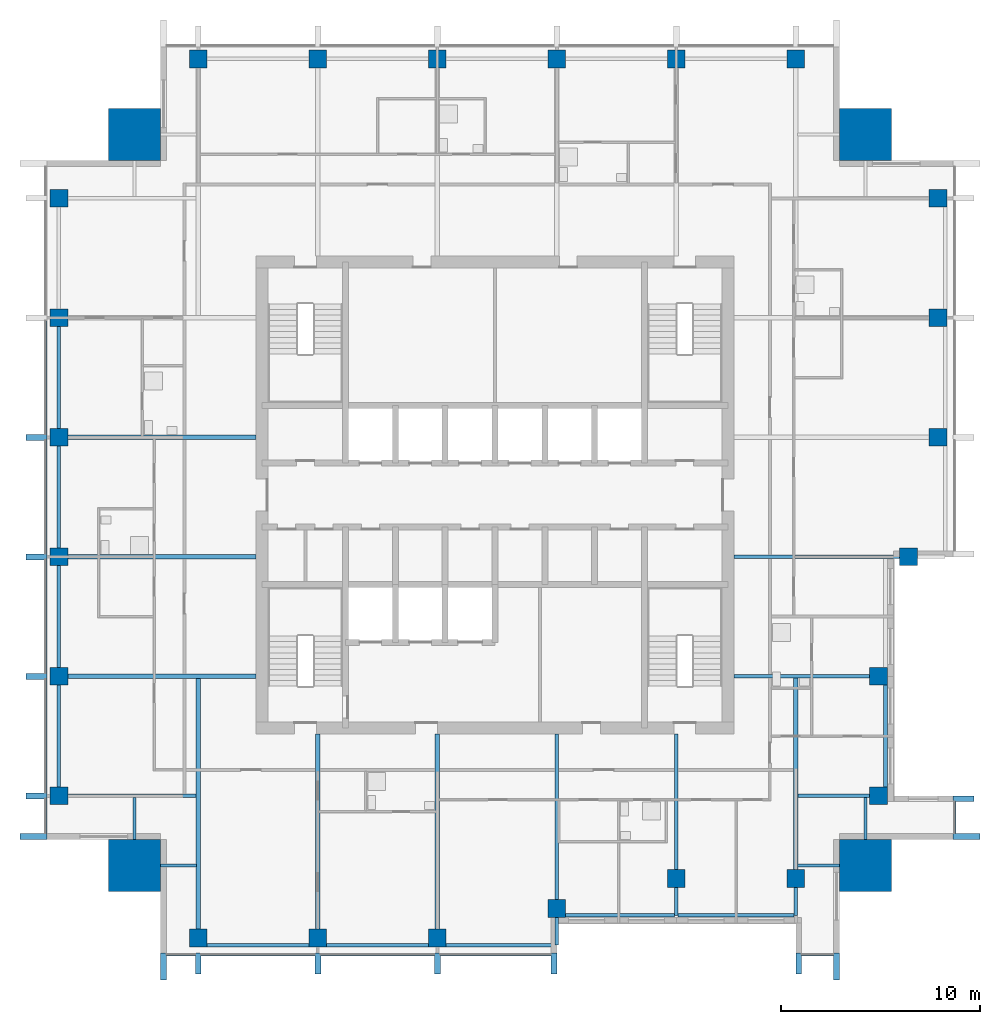
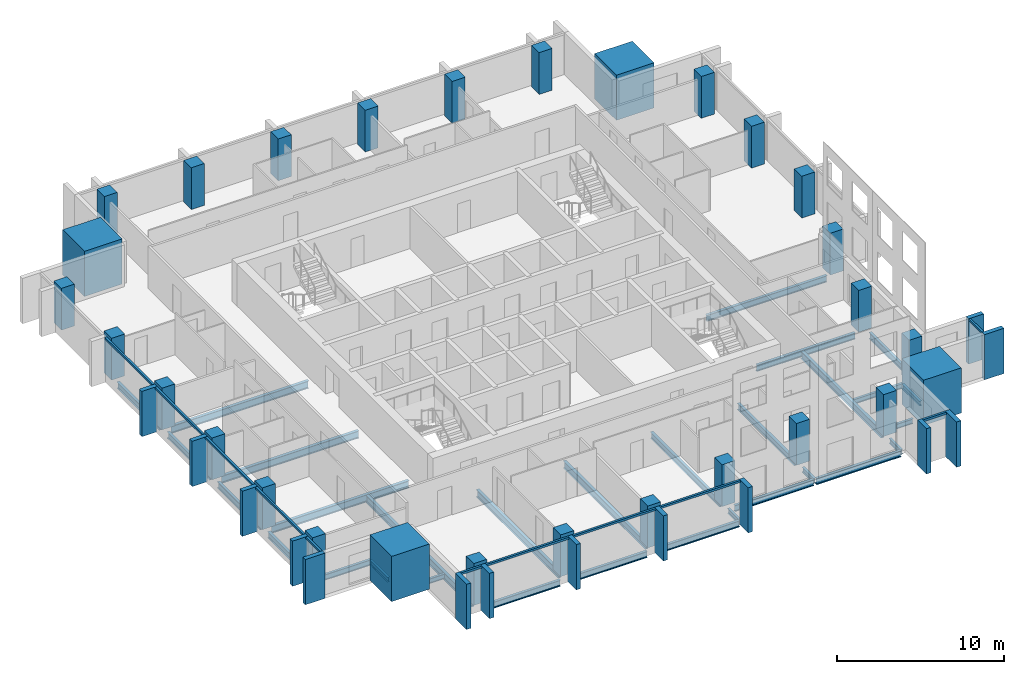
# One storey, part 1 of 10: 30 beams, 28 columns, 25 members, 4 elements without a shape of their own.
"""IFC4 building model written with IfcOpenShell, lengths in metres."""

from ifc_helpers import new_model, si_unit, direction, frame, origin, origin_2d, place, context, subcontext, project, spatial, rectangle, i_section, extrude, material, material_profile, profile_set, type_object, element, aggregate, save


model = new_model("IFC4")

# Units and contexts
model_context = context("Model", 3, precision=1e-05, world=origin(), true_north=direction((0.0, 1.0)))
body_context = subcontext(model_context, "Body", "Model", "MODEL_VIEW")
ifc_project = project(units=[si_unit("LENGTHUNIT", "METRE"), si_unit("AREAUNIT", "SQUARE_METRE"), si_unit("VOLUMEUNIT", "CUBIC_METRE"), si_unit("PLANEANGLEUNIT", "RADIAN"), si_unit("MASSUNIT", "GRAM", prefix="KILO")], contexts=[model_context])

# Site, building, storey
site_placement = place(None, origin())
site = spatial("IfcSite", under=ifc_project, at=site_placement, CompositionType="ELEMENT")
building_placement = place(site_placement, origin())
building = spatial("IfcBuilding", under=site, at=building_placement, Name="Amberfall Residences", CompositionType="ELEMENT")
storey_placement = place(building_placement, frame((0.0, 0.0, 206.800048828125)))
storey = spatial("IfcBuildingStorey", under=building, at=storey_placement, Name="L55", CompositionType="ELEMENT", Elevation=206.800048828125)

# Columns
ifc_material_1 = material(Name="Concrete C55", Category="concrete")
ifc_material_profile_1 = material_profile(ifc_material_1, rectangle(XDim=0.89990234375, YDim=0.89990234375, at=origin_2d()), Name="Column 900 x 900 C55")
ifc_profile_set_1 = profile_set([ifc_material_profile_1], Name="Concrete C55")
column_type_1 = type_object("IfcColumnType", Name="Column 900 x 900 C55", PredefinedType="COLUMN", material=ifc_profile_set_1)
for number, where, z_axis, x_axis, name in (
    (1, (59.60009765625, 23.25, 0.0), (0.0, 0.0, 1.0), (1.0, 0.0, 0.0), "Column C4 L55 S1"),
    (2, (65.60009765625, 23.25, 0.0), (0.0, 0.0, 1.0), (1.0, 0.0, 0.0), "Column C4 L55 S2"),
    (3, (71.60009765625, 23.25, 0.0), (0.0, 0.0, 1.0), (1.0, 0.0, 0.0), "Column C4 L55 S3"),
    (4, (77.60009765625, 24.75, 0.0), (0.0, 0.0, 1.0), (1.0, 0.0, 0.0), "Column C4 L55 S4"),
    (5, (83.60009765625, 26.25, 0.0), (0.0, 0.0, 1.0), (1.0, 0.0, 0.0), "Column C4 L55 S5"),
    (6, (89.60009765625, 26.25, 0.0), (0.0, 0.0, 1.0), (1.0, 0.0, 0.0), "Column C4 L55 S6"),
    (7, (93.75, 30.39990234375, 0.0), (0.0, 0.0, 1.0), (1.0, 0.0, 0.0), "Column C4 L55 E1"),
    (8, (93.75, 36.39990234375, 0.0), (0.0, 0.0, 1.0), (1.0, 0.0, 0.0), "Column C4 L55 E2"),
    (9, (95.25, 42.39990234375, 0.0), (0.0, 0.0, 1.0), (1.0, 0.0, 0.0), "Column C4 L55 E3"),
    (10, (96.75, 48.39990234375, 0.0), (0.0, 0.0, 1.0), (1.0, 0.0, 0.0), "Column C4 L55 E4"),
    (11, (96.75, 54.39990234375, 0.0), (0.0, 0.0, 1.0), (1.0, 0.0, 0.0), "Column C4 L55 E5"),
    (12, (96.75, 60.39990234375, 0.0), (0.0, 0.0, 1.0), (1.0, 0.0, 0.0), "Column C4 L55 E6"),
    (13, (59.60009765625, 67.39990234375, 0.0), (0.0, 0.0, 1.0), (1.0, 0.0, 0.0), "Column C4 L55 N1"),
    (14, (65.60009765625, 67.39990234375, 0.0), (0.0, 0.0, 1.0), (1.0, 0.0, 0.0), "Column C4 L55 N2"),
    (15, (71.60009765625, 67.39990234375, 0.0), (0.0, 0.0, 1.0), (1.0, 0.0, 0.0), "Column C4 L55 N3"),
    (16, (77.60009765625, 67.39990234375, 0.0), (0.0, 0.0, 1.0), (1.0, 0.0, 0.0), "Column C4 L55 N4"),
    (17, (83.60009765625, 67.39990234375, 0.0), (0.0, 0.0, 1.0), (1.0, 0.0, 0.0), "Column C4 L55 N5"),
    (18, (89.60009765625, 67.39990234375, 0.0), (0.0, 0.0, 1.0), (1.0, 0.0, 0.0), "Column C4 L55 N6"),
    (19, (52.60009765625, 30.39990234375, 0.0), (0.0, 0.0, 1.0), (1.0, 0.0, 0.0), "Column C4 L55 W1"),
    (20, (52.60009765625, 36.39990234375, 0.0), (0.0, 0.0, 1.0), (1.0, 0.0, 0.0), "Column C4 L55 W2"),
    (21, (52.60009765625, 42.39990234375, 0.0), (0.0, 0.0, 1.0), (1.0, 0.0, 0.0), "Column C4 L55 W3"),
    (22, (52.60009765625, 48.39990234375, 0.0), (0.0, 0.0, 1.0), (1.0, 0.0, 0.0), "Column C4 L55 W4"),
    (23, (52.60009765625, 54.39990234375, 0.0), (0.0, 0.0, 1.0), (1.0, 0.0, 0.0), "Column C4 L55 W5"),
    (24, (52.60009765625, 60.39990234375, 0.0), (0.0, 0.0, 1.0), (1.0, 0.0, 0.0), "Column C4 L55 W6"),
):
    element("IfcColumn", number, at=place(storey_placement, frame(where, z_axis=z_axis, x_axis=x_axis)), inside=storey, type_object=column_type_1, Name=name, PredefinedType="COLUMN", context=body_context, shape_type="SweptSolid", body=[
        extrude(rectangle(XDim=0.89990234375, YDim=0.89990234375, at=origin_2d()), origin(), (0.0, 0.0, 1.0), 3.050048828125),
    ])
ifc_material_profile_2 = material_profile(ifc_material_1, rectangle(XDim=2.60009765625, YDim=2.60009765625, at=origin_2d()), Name="Mega column 2600 x 2600 C55")
ifc_profile_set_2 = profile_set([ifc_material_profile_2], Name="Concrete C55")
column_type_2 = type_object("IfcColumnType", Name="Mega column 2600 x 2600 C55", PredefinedType="COLUMN", material=ifc_profile_set_2)
for number, where, z_axis, x_axis, name in (
    (25, (56.39990234375, 26.89990234375, 0.0), (0.0, 0.0, 1.0), (1.0, 0.0, 0.0), "Mega column MC8 L55 SW"),
    (26, (93.10009765625, 26.89990234375, 0.0), (0.0, 0.0, 1.0), (1.0, 0.0, 0.0), "Mega column MC8 L55 SE"),
    (27, (93.10009765625, 63.60009765625, 0.0), (0.0, 0.0, 1.0), (1.0, 0.0, 0.0), "Mega column MC8 L55 NE"),
    (28, (56.39990234375, 63.60009765625, 0.0), (0.0, 0.0, 1.0), (1.0, 0.0, 0.0), "Mega column MC8 L55 NW"),
):
    element("IfcColumn", number, at=place(storey_placement, frame(where, z_axis=z_axis, x_axis=x_axis)), inside=storey, type_object=column_type_2, Name=name, PredefinedType="COLUMN", context=body_context, shape_type="SweptSolid", body=[
        extrude(rectangle(XDim=2.60009765625, YDim=2.60009765625, at=origin_2d()), origin(), (0.0, 0.0, 1.0), 3.300048828125),
    ])

# Curtain wall, members
ifc_material_2 = material(Name="Bronze anodised aluminium and glass", Category="aluminium")
curtain_wall_type = type_object("IfcCurtainWallType", Name="Curtain wall CW1 tower unit", PredefinedType="USERDEFINED", material=ifc_material_2)
curtain_wall_1_placement = place(storey_placement, origin())
curtain_wall_1 = element("IfcCurtainWall", 29, at=curtain_wall_1_placement, inside=storey, type_object=curtain_wall_type, Name="Curtain wall L55 S S1", ObjectType="UNITISED CURTAIN WALL", PredefinedType="USERDEFINED")
ifc_material_3 = material(Name="Bronze anodised aluminium", Category="aluminium")
ifc_material_profile_3 = material_profile(ifc_material_3, rectangle(XDim=0.14990234375, YDim=0.14990234375, at=origin_2d()), Name="CW1 transom 150 x 150 bronze")
ifc_profile_set_3 = profile_set([ifc_material_profile_3], Name="Bronze anodised aluminium")
member_type_1 = type_object("IfcMemberType", Name="CW1 transom 150 x 150 bronze", PredefinedType="USERDEFINED", material=ifc_profile_set_3)
member_1_placement = place(storey_placement, frame((58.0, 22.425048828125, 2.974853515625), z_axis=(1.0, 0.0, 0.0), x_axis=(0.0, 1.0, 0.0)))
member_1 = element("IfcMember", 30, at=member_1_placement, type_object=member_type_1, Name="CW1 transom 1.1", ObjectType="TRANSOM", PredefinedType="USERDEFINED", context=body_context, shape_type="SweptSolid", body=[
    extrude(rectangle(XDim=0.14990234375, YDim=0.14990234375, at=origin_2d()), origin(), (0.0, 0.0, 1.0), 1.449951171875),
])
member_2_placement = place(storey_placement, frame((59.75, 22.425048828125, 2.974853515625), z_axis=(1.0, 0.0, 0.0), x_axis=(0.0, 1.0, 0.0)))
member_2 = element("IfcMember", 31, at=member_2_placement, type_object=member_type_1, Name="CW1 transom 2.1", ObjectType="TRANSOM", PredefinedType="USERDEFINED", context=body_context, shape_type="SweptSolid", body=[
    extrude(rectangle(XDim=0.14990234375, YDim=0.14990234375, at=origin_2d()), origin(), (0.0, 0.0, 1.0), 5.699951171875),
])
member_3_placement = place(storey_placement, frame((65.75, 22.425048828125, 2.974853515625), z_axis=(1.0, 0.0, 0.0), x_axis=(0.0, 1.0, 0.0)))
member_3 = element("IfcMember", 32, at=member_3_placement, type_object=member_type_1, Name="CW1 transom 3.1", ObjectType="TRANSOM", PredefinedType="USERDEFINED", context=body_context, shape_type="SweptSolid", body=[
    extrude(rectangle(XDim=0.14990234375, YDim=0.14990234375, at=origin_2d()), origin(), (0.0, 0.0, 1.0), 5.699951171875),
])
member_4_placement = place(storey_placement, frame((71.75, 22.425048828125, 2.974853515625), z_axis=(1.0, 0.0, 0.0), x_axis=(0.0, 1.0, 0.0)))
member_4 = element("IfcMember", 33, at=member_4_placement, type_object=member_type_1, Name="CW1 transom 4.1", ObjectType="TRANSOM", PredefinedType="USERDEFINED", context=body_context, shape_type="SweptSolid", body=[
    extrude(rectangle(XDim=0.14990234375, YDim=0.14990234375, at=origin_2d()), origin(), (0.0, 0.0, 1.0), 5.550048828125),
])

# Curtain wall, member
curtain_wall_2_placement = place(storey_placement, origin())
curtain_wall_2 = element("IfcCurtainWall", 34, at=curtain_wall_2_placement, inside=storey, type_object=curtain_wall_type, Name="Curtain wall L55 S S6", ObjectType="UNITISED CURTAIN WALL", PredefinedType="USERDEFINED")
member_5_placement = place(storey_placement, frame((89.89990234375, 22.425048828125, 2.974853515625), z_axis=(1.0, 0.0, 0.0), x_axis=(0.0, 1.0, 0.0)))
member_5 = element("IfcMember", 35, at=member_5_placement, type_object=member_type_1, Name="CW1 transom 1.1", ObjectType="TRANSOM", PredefinedType="USERDEFINED", context=body_context, shape_type="SweptSolid", body=[
    extrude(rectangle(XDim=0.14990234375, YDim=0.14990234375, at=origin_2d()), origin(), (0.0, 0.0, 1.0), 1.60009765625),
])

curtain_wall_3_placement = place(storey_placement, origin())
curtain_wall_3 = element("IfcCurtainWall", 36, at=curtain_wall_3_placement, inside=storey, type_object=curtain_wall_type, Name="Curtain wall L55 E E1", ObjectType="UNITISED CURTAIN WALL", PredefinedType="USERDEFINED")
member_6_placement = place(storey_placement, frame((97.574951171875, 28.5, 2.974853515625), z_axis=(0.0, 1.0, 0.0), x_axis=(-1.0, 0.0, 0.0)))
member_6 = element("IfcMember", 37, at=member_6_placement, type_object=member_type_1, Name="CW1 transom 1.1", ObjectType="TRANSOM", PredefinedType="USERDEFINED", context=body_context, shape_type="SweptSolid", body=[
    extrude(rectangle(XDim=0.14990234375, YDim=0.14990234375, at=origin_2d()), origin(), (0.0, 0.0, 1.0), 1.60009765625),
])

# Curtain wall, members
curtain_wall_4_placement = place(storey_placement, origin())
curtain_wall_4 = element("IfcCurtainWall", 38, at=curtain_wall_4_placement, inside=storey, type_object=curtain_wall_type, Name="Curtain wall L55 W W1", ObjectType="UNITISED CURTAIN WALL", PredefinedType="USERDEFINED")
member_7_placement = place(storey_placement, frame((51.925048828125, 54.25, 2.974853515625), z_axis=(0.0, -1.0, 0.0), x_axis=(1.0, 0.0, 0.0)))
member_7 = element("IfcMember", 39, at=member_7_placement, type_object=member_type_1, Name="CW1 transom 3.1", ObjectType="TRANSOM", PredefinedType="USERDEFINED", context=body_context, shape_type="SweptSolid", body=[
    extrude(rectangle(XDim=0.14990234375, YDim=0.14990234375, at=origin_2d()), origin(), (0.0, 0.0, 1.0), 5.699951171875),
])
member_8_placement = place(storey_placement, frame((51.925048828125, 48.25, 2.974853515625), z_axis=(0.0, -1.0, 0.0), x_axis=(1.0, 0.0, 0.0)))
member_8 = element("IfcMember", 40, at=member_8_placement, type_object=member_type_1, Name="CW1 transom 4.1", ObjectType="TRANSOM", PredefinedType="USERDEFINED", context=body_context, shape_type="SweptSolid", body=[
    extrude(rectangle(XDim=0.14990234375, YDim=0.14990234375, at=origin_2d()), origin(), (0.0, 0.0, 1.0), 5.699951171875),
])
member_9_placement = place(storey_placement, frame((51.925048828125, 42.25, 2.974853515625), z_axis=(0.0, -1.0, 0.0), x_axis=(1.0, 0.0, 0.0)))
member_9 = element("IfcMember", 41, at=member_9_placement, type_object=member_type_1, Name="CW1 transom 5.1", ObjectType="TRANSOM", PredefinedType="USERDEFINED", context=body_context, shape_type="SweptSolid", body=[
    extrude(rectangle(XDim=0.14990234375, YDim=0.14990234375, at=origin_2d()), origin(), (0.0, 0.0, 1.0), 5.699951171875),
])
member_10_placement = place(storey_placement, frame((51.925048828125, 36.25, 2.974853515625), z_axis=(0.0, -1.0, 0.0), x_axis=(1.0, 0.0, 0.0)))
member_10 = element("IfcMember", 42, at=member_10_placement, type_object=member_type_1, Name="CW1 transom 6.1", ObjectType="TRANSOM", PredefinedType="USERDEFINED", context=body_context, shape_type="SweptSolid", body=[
    extrude(rectangle(XDim=0.14990234375, YDim=0.14990234375, at=origin_2d()), origin(), (0.0, 0.0, 1.0), 5.699951171875),
])
member_11_placement = place(storey_placement, frame((51.925048828125, 30.25, 2.974853515625), z_axis=(0.0, -1.0, 0.0), x_axis=(1.0, 0.0, 0.0)))
member_11 = element("IfcMember", 43, at=member_11_placement, type_object=member_type_1, Name="CW1 transom 7.1", ObjectType="TRANSOM", PredefinedType="USERDEFINED", context=body_context, shape_type="SweptSolid", body=[
    extrude(rectangle(XDim=0.14990234375, YDim=0.14990234375, at=origin_2d()), origin(), (0.0, 0.0, 1.0), 1.75),
])

# Beams
ifc_material_4 = material(Name="Steel S355", Category="steel")
ifc_material_profile_4 = material_profile(ifc_material_4, i_section(OverallWidth=0.171142578125, OverallDepth=0.351318359375, WebThickness=0.007080078125, FlangeThickness=0.009765625, FilletRadius=0.01025390625, at=origin_2d()), Name="UB 356x171x45")
ifc_profile_set_4 = profile_set([ifc_material_profile_4], Name="Steel S355")
beam_type_1 = type_object("IfcBeamType", Name="Cantilever girder UB 356x171x45", PredefinedType="BEAM", material=ifc_profile_set_4)
for number, where, z_axis, x_axis, name in (
    (44, (77.60009765625, 24.300048828125, -0.42578125), (0.0, -1.0, 0.0), (1.0, 0.0, 0.0), "Cantilever girder B8 L55 06"),
    (45, (83.60009765625, 25.800048828125, -0.42578125), (0.0, -1.0, 0.0), (1.0, 0.0, 0.0), "Cantilever girder B8 L55 07"),
    (46, (89.60009765625, 25.800048828125, -0.42578125), (0.0, -1.0, 0.0), (1.0, 0.0, 0.0), "Cantilever girder B8 L55 08"),
):
    element("IfcBeam", number, at=place(storey_placement, frame(where, z_axis=z_axis, x_axis=x_axis)), inside=storey, type_object=beam_type_1, Name=name, PredefinedType="BEAM", context=body_context, shape_type="SweptSolid", body=[
        extrude(i_section(OverallWidth=0.171142578125, OverallDepth=0.351318359375, WebThickness=0.007080078125, FlangeThickness=0.009765625, FilletRadius=0.01025390625, at=origin_2d()), origin(), (0.0, 0.0, 1.0), 1.400146484375),
    ])

# Member
ifc_material_profile_5 = material_profile(ifc_material_3, rectangle(XDim=1.35009765625, YDim=0.300048828125, at=origin_2d()), Name="Corner fin 300 x 1350 bronze")
ifc_profile_set_5 = profile_set([ifc_material_profile_5], Name="Bronze anodised aluminium")
member_type_2 = type_object("IfcMemberType", Name="Corner fin 300 x 1350 bronze", PredefinedType="MULLION", material=ifc_profile_set_5)
member_12_placement = place(storey_placement, frame((57.85009765625, 21.824951171875, -0.25), z_axis=(0.0, 0.0, 1.0), x_axis=(0.0, 1.0, 0.0)))
member_12 = element("IfcMember", 47, at=member_12_placement, type_object=member_type_2, Name="CW FIN 1", PredefinedType="MULLION", context=body_context, shape_type="SweptSolid", body=[
    extrude(rectangle(XDim=1.35009765625, YDim=0.300048828125, at=origin_2d()), origin(), (0.0, 0.0, 1.0), 3.300048828125),
])

member_13_placement = place(storey_placement, frame((91.64990234375, 21.824951171875, -0.25), z_axis=(0.0, 0.0, 1.0), x_axis=(0.0, 1.0, 0.0)))
member_13 = element("IfcMember", 48, at=member_13_placement, type_object=member_type_2, Name="CW FIN 2", PredefinedType="MULLION", context=body_context, shape_type="SweptSolid", body=[
    extrude(rectangle(XDim=1.35009765625, YDim=0.300048828125, at=origin_2d()), origin(), (0.0, 0.0, 1.0), 3.300048828125),
])

member_14_placement = place(storey_placement, frame((98.175048828125, 28.35009765625, -0.25), z_axis=(0.0, 0.0, 1.0), x_axis=(-1.0, 0.0, 0.0)))
member_14 = element("IfcMember", 49, at=member_14_placement, type_object=member_type_2, Name="CW FIN 1", PredefinedType="MULLION", context=body_context, shape_type="SweptSolid", body=[
    extrude(rectangle(XDim=1.35009765625, YDim=0.300048828125, at=origin_2d()), origin(), (0.0, 0.0, 1.0), 3.300048828125),
])

member_15_placement = place(storey_placement, frame((51.324951171875, 28.35009765625, -0.25), z_axis=(0.0, 0.0, 1.0), x_axis=(1.0, 0.0, 0.0)))
member_15 = element("IfcMember", 50, at=member_15_placement, type_object=member_type_2, Name="CW FIN 8", PredefinedType="MULLION", context=body_context, shape_type="SweptSolid", body=[
    extrude(rectangle(XDim=1.35009765625, YDim=0.300048828125, at=origin_2d()), origin(), (0.0, 0.0, 1.0), 3.300048828125),
])

# Beams
ifc_material_profile_6 = material_profile(ifc_material_4, i_section(OverallWidth=0.18994140625, OverallDepth=0.453369140625, WebThickness=0.008544921875, FlangeThickness=0.0126953125, FilletRadius=0.01025390625, at=origin_2d()), Name="UB 457x191x67")
ifc_profile_set_6 = profile_set([ifc_material_profile_6], Name="Steel S355")
beam_type_2 = type_object("IfcBeamType", Name="Edge beam UB 457x191x67", PredefinedType="SPANDREL", material=ifc_profile_set_6)
for number, where, z_axis, x_axis, name in (
    (51, (60.050048828125, 22.89990234375, -0.476806640625), (1.0, 0.0, 0.0), (0.0, 1.0, 0.0), "Edge beam B1 L55 01"),
    (52, (66.050048828125, 22.89990234375, -0.476806640625), (1.0, 0.0, 0.0), (0.0, 1.0, 0.0), "Edge beam B1 L55 02"),
):
    element("IfcBeam", number, at=place(storey_placement, frame(where, z_axis=z_axis, x_axis=x_axis)), inside=storey, type_object=beam_type_2, Name=name, PredefinedType="SPANDREL", context=body_context, shape_type="SweptSolid", body=[
        extrude(i_section(OverallWidth=0.18994140625, OverallDepth=0.453369140625, WebThickness=0.008544921875, FlangeThickness=0.0126953125, FilletRadius=0.01025390625, at=origin_2d()), origin(), (0.0, 0.0, 1.0), 5.099853515625),
    ])
for number, where, z_axis, x_axis, name in (
    (53, (72.050048828125, 22.89990234375, -0.476806640625), (1.0, 0.0, 0.0), (0.0, 1.0, 0.0), "Edge beam B1 L55 03"),
    (54, (78.050048828125, 24.39990234375, -0.476806640625), (1.0, 0.0, 0.0), (0.0, 1.0, 0.0), "Edge beam B1 L55 04"),
):
    element("IfcBeam", number, at=place(storey_placement, frame(where, z_axis=z_axis, x_axis=x_axis)), inside=storey, type_object=beam_type_2, Name=name, PredefinedType="SPANDREL", context=body_context, shape_type="SweptSolid", body=[
        extrude(i_section(OverallWidth=0.18994140625, OverallDepth=0.453369140625, WebThickness=0.008544921875, FlangeThickness=0.0126953125, FilletRadius=0.01025390625, at=origin_2d()), origin(), (0.0, 0.0, 1.0), 5.469970703125),
    ])
beam_1_placement = place(storey_placement, frame((83.679931640625, 24.39990234375, -0.476806640625), z_axis=(1.0, 0.0, 0.0), x_axis=(0.0, 1.0, 0.0)))
element("IfcBeam", 55, at=beam_1_placement, inside=storey, type_object=beam_type_2, Name="Edge beam B1 L55 05", PredefinedType="SPANDREL", context=body_context, shape_type="SweptSolid", body=[
    extrude(i_section(OverallWidth=0.18994140625, OverallDepth=0.453369140625, WebThickness=0.008544921875, FlangeThickness=0.0126953125, FilletRadius=0.01025390625, at=origin_2d()), origin(), (0.0, 0.0, 1.0), 5.840087890625),
])
for number, where, z_axis, x_axis, name in (
    (56, (94.10009765625, 30.85009765625, -0.476806640625), (0.0, 1.0, 0.0), (-1.0, 0.0, 0.0), "Edge beam B1 L55 15"),
    (57, (52.60009765625, 30.85009765625, -0.476806640625), (0.0, 1.0, 0.0), (-1.0, 0.0, 0.0), "Edge beam B1 L55 38"),
    (58, (52.60009765625, 36.85009765625, -0.476806640625), (0.0, 1.0, 0.0), (-1.0, 0.0, 0.0), "Edge beam B1 L55 39"),
    (59, (52.60009765625, 42.85009765625, -0.476806640625), (0.0, 1.0, 0.0), (-1.0, 0.0, 0.0), "Edge beam B1 L55 40"),
    (60, (52.60009765625, 48.85009765625, -0.476806640625), (0.0, 1.0, 0.0), (-1.0, 0.0, 0.0), "Edge beam B1 L55 41"),
):
    element("IfcBeam", number, at=place(storey_placement, frame(where, z_axis=z_axis, x_axis=x_axis)), inside=storey, type_object=beam_type_2, Name=name, PredefinedType="SPANDREL", context=body_context, shape_type="SweptSolid", body=[
        extrude(i_section(OverallWidth=0.18994140625, OverallDepth=0.453369140625, WebThickness=0.008544921875, FlangeThickness=0.0126953125, FilletRadius=0.01025390625, at=origin_2d()), origin(), (0.0, 0.0, 1.0), 5.099853515625),
    ])

# Member
ifc_material_profile_7 = material_profile(ifc_material_3, rectangle(XDim=1.050048828125, YDim=0.300048828125, at=origin_2d()), Name="Fin 300 x 1050 bronze")
ifc_profile_set_7 = profile_set([ifc_material_profile_7], Name="Bronze anodised aluminium")
member_type_3 = type_object("IfcMemberType", Name="Fin 300 x 1050 bronze", PredefinedType="MULLION", material=ifc_profile_set_7)
member_16_placement = place(storey_placement, frame((59.60009765625, 21.97509765625, -0.25), z_axis=(0.0, 0.0, 1.0), x_axis=(0.0, 1.0, 0.0)))
member_16 = element("IfcMember", 61, at=member_16_placement, type_object=member_type_3, Name="CW FIN 2", PredefinedType="MULLION", context=body_context, shape_type="SweptSolid", body=[
    extrude(rectangle(XDim=1.050048828125, YDim=0.300048828125, at=origin_2d()), origin(), (0.0, 0.0, 1.0), 3.300048828125),
])

member_17_placement = place(storey_placement, frame((65.60009765625, 21.97509765625, -0.25), z_axis=(0.0, 0.0, 1.0), x_axis=(0.0, 1.0, 0.0)))
member_17 = element("IfcMember", 62, at=member_17_placement, type_object=member_type_3, Name="CW FIN 3", PredefinedType="MULLION", context=body_context, shape_type="SweptSolid", body=[
    extrude(rectangle(XDim=1.050048828125, YDim=0.300048828125, at=origin_2d()), origin(), (0.0, 0.0, 1.0), 3.300048828125),
])

member_18_placement = place(storey_placement, frame((71.60009765625, 21.97509765625, -0.25), z_axis=(0.0, 0.0, 1.0), x_axis=(0.0, 1.0, 0.0)))
member_18 = element("IfcMember", 63, at=member_18_placement, type_object=member_type_3, Name="CW FIN 4", PredefinedType="MULLION", context=body_context, shape_type="SweptSolid", body=[
    extrude(rectangle(XDim=1.050048828125, YDim=0.300048828125, at=origin_2d()), origin(), (0.0, 0.0, 1.0), 3.300048828125),
])

member_19_placement = place(storey_placement, frame((77.449951171875, 21.97509765625, -0.25), z_axis=(0.0, 0.0, 1.0), x_axis=(0.0, 1.0, 0.0)))
member_19 = element("IfcMember", 64, at=member_19_placement, type_object=member_type_3, Name="CW FIN 5", PredefinedType="MULLION", context=body_context, shape_type="SweptSolid", body=[
    extrude(rectangle(XDim=1.050048828125, YDim=0.300048828125, at=origin_2d()), origin(), (0.0, 0.0, 1.0), 3.300048828125),
])

aggregate(curtain_wall_1, [member_12, member_16, member_17, member_18, member_19, member_1, member_2, member_3, member_4])

member_20_placement = place(storey_placement, frame((89.75, 21.97509765625, -0.25), z_axis=(0.0, 0.0, 1.0), x_axis=(0.0, 1.0, 0.0)))
member_20 = element("IfcMember", 65, at=member_20_placement, type_object=member_type_3, Name="CW FIN 1", PredefinedType="MULLION", context=body_context, shape_type="SweptSolid", body=[
    extrude(rectangle(XDim=1.050048828125, YDim=0.300048828125, at=origin_2d()), origin(), (0.0, 0.0, 1.0), 3.300048828125),
])

aggregate(curtain_wall_2, [member_20, member_13, member_5])

member_21_placement = place(storey_placement, frame((98.02490234375, 30.25, -0.25), z_axis=(0.0, 0.0, 1.0), x_axis=(-1.0, 0.0, 0.0)))
member_21 = element("IfcMember", 66, at=member_21_placement, type_object=member_type_3, Name="CW FIN 2", PredefinedType="MULLION", context=body_context, shape_type="SweptSolid", body=[
    extrude(rectangle(XDim=1.050048828125, YDim=0.300048828125, at=origin_2d()), origin(), (0.0, 0.0, 1.0), 3.300048828125),
])

aggregate(curtain_wall_3, [member_14, member_21, member_6])

member_22_placement = place(storey_placement, frame((51.47509765625, 48.39990234375, -0.25), z_axis=(0.0, 0.0, 1.0), x_axis=(1.0, 0.0, 0.0)))
member_22 = element("IfcMember", 67, at=member_22_placement, type_object=member_type_3, Name="CW FIN 4", PredefinedType="MULLION", context=body_context, shape_type="SweptSolid", body=[
    extrude(rectangle(XDim=1.050048828125, YDim=0.300048828125, at=origin_2d()), origin(), (0.0, 0.0, 1.0), 3.300048828125),
])

member_23_placement = place(storey_placement, frame((51.47509765625, 42.39990234375, -0.25), z_axis=(0.0, 0.0, 1.0), x_axis=(1.0, 0.0, 0.0)))
member_23 = element("IfcMember", 68, at=member_23_placement, type_object=member_type_3, Name="CW FIN 5", PredefinedType="MULLION", context=body_context, shape_type="SweptSolid", body=[
    extrude(rectangle(XDim=1.050048828125, YDim=0.300048828125, at=origin_2d()), origin(), (0.0, 0.0, 1.0), 3.300048828125),
])

member_24_placement = place(storey_placement, frame((51.47509765625, 36.39990234375, -0.25), z_axis=(0.0, 0.0, 1.0), x_axis=(1.0, 0.0, 0.0)))
member_24 = element("IfcMember", 69, at=member_24_placement, type_object=member_type_3, Name="CW FIN 6", PredefinedType="MULLION", context=body_context, shape_type="SweptSolid", body=[
    extrude(rectangle(XDim=1.050048828125, YDim=0.300048828125, at=origin_2d()), origin(), (0.0, 0.0, 1.0), 3.300048828125),
])

member_25_placement = place(storey_placement, frame((51.47509765625, 30.39990234375, -0.25), z_axis=(0.0, 0.0, 1.0), x_axis=(1.0, 0.0, 0.0)))
member_25 = element("IfcMember", 70, at=member_25_placement, type_object=member_type_3, Name="CW FIN 7", PredefinedType="MULLION", context=body_context, shape_type="SweptSolid", body=[
    extrude(rectangle(XDim=1.050048828125, YDim=0.300048828125, at=origin_2d()), origin(), (0.0, 0.0, 1.0), 3.300048828125),
])

aggregate(curtain_wall_4, [member_22, member_23, member_24, member_25, member_15, member_7, member_8, member_9, member_10, member_11])

# Beams
ifc_material_profile_8 = material_profile(ifc_material_4, i_section(OverallWidth=0.171142578125, OverallDepth=0.351318359375, WebThickness=0.007080078125, FlangeThickness=0.009765625, FilletRadius=0.01025390625, at=origin_2d()), Name="UB 356x171x45")
ifc_profile_set_8 = profile_set([ifc_material_profile_8], Name="Steel S355")
beam_type_3 = type_object("IfcBeamType", Name="Floor girder UB 356x171x45", PredefinedType="BEAM", material=ifc_profile_set_8)
beam_2_placement = place(storey_placement, frame((93.300048828125, 30.39990234375, -0.42578125), z_axis=(-1.0, 0.0, 0.0), x_axis=(0.0, -1.0, 0.0)))
element("IfcBeam", 71, at=beam_2_placement, inside=storey, type_object=beam_type_3, Name="Floor girder B11 L55 21", PredefinedType="BEAM", context=body_context, shape_type="SweptSolid", body=[
    extrude(i_section(OverallWidth=0.171142578125, OverallDepth=0.351318359375, WebThickness=0.007080078125, FlangeThickness=0.009765625, FilletRadius=0.01025390625, at=origin_2d()), origin(), (0.0, 0.0, 1.0), 3.580078125),
])
ifc_material_profile_9 = material_profile(ifc_material_4, i_section(OverallWidth=0.177734375, OverallDepth=0.402587890625, WebThickness=0.0078125, FlangeThickness=0.010986328125, FilletRadius=0.01025390625, at=origin_2d()), Name="UB 406x178x54")
ifc_profile_set_9 = profile_set([ifc_material_profile_9], Name="Steel S355")
beam_type_4 = type_object("IfcBeamType", Name="Floor girder UB 406x178x54", PredefinedType="BEAM", material=ifc_profile_set_9)
beam_3_placement = place(storey_placement, frame((53.050048828125, 30.39990234375, -0.451416015625), z_axis=(1.0, 0.0, 0.0), x_axis=(0.0, 1.0, 0.0)))
element("IfcBeam", 72, at=beam_3_placement, inside=storey, type_object=beam_type_4, Name="Floor girder B4 L55 43", PredefinedType="BEAM", context=body_context, shape_type="SweptSolid", body=[
    extrude(i_section(OverallWidth=0.177734375, OverallDepth=0.402587890625, WebThickness=0.0078125, FlangeThickness=0.010986328125, FilletRadius=0.01025390625, at=origin_2d()), origin(), (0.0, 0.0, 1.0), 6.429931640625),
])
ifc_material_profile_10 = material_profile(ifc_material_4, i_section(OverallWidth=0.19140625, OverallDepth=0.4599609375, WebThickness=0.010009765625, FlangeThickness=0.01611328125, FilletRadius=0.01025390625, at=origin_2d()), Name="UB 457x191x82")
ifc_profile_set_10 = profile_set([ifc_material_profile_10], Name="Steel S355")
beam_type_5 = type_object("IfcBeamType", Name="Floor girder UB 457x191x82", PredefinedType="BEAM", material=ifc_profile_set_10)
beam_4_placement = place(storey_placement, frame((77.60009765625, 25.199951171875, -0.47998046875), z_axis=(0.0, 1.0, 0.0), x_axis=(-1.0, 0.0, 0.0)))
element("IfcBeam", 73, at=beam_4_placement, inside=storey, type_object=beam_type_5, Name="Floor girder B10 L55 12", PredefinedType="BEAM", context=body_context, shape_type="SweptSolid", body=[
    extrude(i_section(OverallWidth=0.19140625, OverallDepth=0.4599609375, WebThickness=0.010009765625, FlangeThickness=0.01611328125, FilletRadius=0.01025390625, at=origin_2d()), origin(), (0.0, 0.0, 1.0), 8.300048828125),
])
for number, where, z_axis, x_axis, name in (
    (74, (83.60009765625, 26.699951171875, -0.47998046875), (0.0, 1.0, 0.0), (-1.0, 0.0, 0.0), "Floor girder B10 L55 13"),
    (75, (93.300048828125, 36.39990234375, -0.47998046875), (-1.0, 0.0, 0.0), (0.0, -1.0, 0.0), "Floor girder B10 L55 22"),
):
    element("IfcBeam", number, at=place(storey_placement, frame(where, z_axis=z_axis, x_axis=x_axis)), inside=storey, type_object=beam_type_5, Name=name, PredefinedType="BEAM", context=body_context, shape_type="SweptSolid", body=[
        extrude(i_section(OverallWidth=0.19140625, OverallDepth=0.4599609375, WebThickness=0.010009765625, FlangeThickness=0.01611328125, FilletRadius=0.01025390625, at=origin_2d()), origin(), (0.0, 0.0, 1.0), 6.800048828125),
    ])
beam_5_placement = place(storey_placement, frame((94.800048828125, 42.39990234375, -0.47998046875), z_axis=(-1.0, 0.0, 0.0), x_axis=(0.0, -1.0, 0.0)))
element("IfcBeam", 76, at=beam_5_placement, inside=storey, type_object=beam_type_5, Name="Floor girder B10 L55 23", PredefinedType="BEAM", context=body_context, shape_type="SweptSolid", body=[
    extrude(i_section(OverallWidth=0.19140625, OverallDepth=0.4599609375, WebThickness=0.010009765625, FlangeThickness=0.01611328125, FilletRadius=0.01025390625, at=origin_2d()), origin(), (0.0, 0.0, 1.0), 8.300048828125),
])
ifc_material_profile_11 = material_profile(ifc_material_4, i_section(OverallWidth=0.210693359375, OverallDepth=0.53955078125, WebThickness=0.01171875, FlangeThickness=0.018798828125, FilletRadius=0.0126953125, at=origin_2d()), Name="UB 533x210x109")
ifc_profile_set_11 = profile_set([ifc_material_profile_11], Name="Steel S355")
beam_type_6 = type_object("IfcBeamType", Name="Floor girder UB 533x210x109", PredefinedType="BEAM", material=ifc_profile_set_11)
beam_6_placement = place(storey_placement, frame((59.60009765625, 23.699951171875, -0.519775390625), z_axis=(0.0, 1.0, 0.0), x_axis=(-1.0, 0.0, 0.0)))
element("IfcBeam", 77, at=beam_6_placement, inside=storey, type_object=beam_type_6, Name="Floor girder B2 L55 09", PredefinedType="BEAM", context=body_context, shape_type="SweptSolid", body=[
    extrude(i_section(OverallWidth=0.210693359375, OverallDepth=0.53955078125, WebThickness=0.01171875, FlangeThickness=0.018798828125, FilletRadius=0.0126953125, at=origin_2d()), origin(), (0.0, 0.0, 1.0), 12.600341796875),
])
ifc_material_profile_12 = material_profile(ifc_material_4, i_section(OverallWidth=0.209228515625, OverallDepth=0.533203125, WebThickness=0.010009765625, FlangeThickness=0.015625, FilletRadius=0.0126953125, at=origin_2d()), Name="UB 533x210x92")
ifc_profile_set_12 = profile_set([ifc_material_profile_12], Name="Steel S355")
beam_type_7 = type_object("IfcBeamType", Name="Floor girder UB 533x210x92", PredefinedType="BEAM", material=ifc_profile_set_12)
for number, where, z_axis, x_axis, name in (
    (78, (65.60009765625, 23.699951171875, -0.5166015625), (0.0, 1.0, 0.0), (-1.0, 0.0, 0.0), "Floor girder B3 L55 10"),
    (79, (71.60009765625, 23.699951171875, -0.5166015625), (0.0, 1.0, 0.0), (-1.0, 0.0, 0.0), "Floor girder B3 L55 11"),
):
    element("IfcBeam", number, at=place(storey_placement, frame(where, z_axis=z_axis, x_axis=x_axis)), inside=storey, type_object=beam_type_7, Name=name, PredefinedType="BEAM", context=body_context, shape_type="SweptSolid", body=[
        extrude(i_section(OverallWidth=0.209228515625, OverallDepth=0.533203125, WebThickness=0.010009765625, FlangeThickness=0.015625, FilletRadius=0.0126953125, at=origin_2d()), origin(), (0.0, 0.0, 1.0), 9.800048828125),
    ])
beam_7_placement = place(storey_placement, frame((89.60009765625, 26.699951171875, -0.5166015625), z_axis=(0.0, 1.0, 0.0), x_axis=(-1.0, 0.0, 0.0)))
element("IfcBeam", 80, at=beam_7_placement, inside=storey, type_object=beam_type_7, Name="Floor girder B3 L55 14", PredefinedType="BEAM", context=body_context, shape_type="SweptSolid", body=[
    extrude(i_section(OverallWidth=0.209228515625, OverallDepth=0.533203125, WebThickness=0.010009765625, FlangeThickness=0.015625, FilletRadius=0.0126953125, at=origin_2d()), origin(), (0.0, 0.0, 1.0), 9.609375),
])
for number, where, z_axis, x_axis, name in (
    (81, (53.050048828125, 36.39990234375, -0.5166015625), (1.0, 0.0, 0.0), (0.0, 1.0, 0.0), "Floor girder B3 L55 44"),
    (82, (53.050048828125, 42.39990234375, -0.5166015625), (1.0, 0.0, 0.0), (0.0, 1.0, 0.0), "Floor girder B3 L55 45"),
    (83, (53.050048828125, 48.39990234375, -0.5166015625), (1.0, 0.0, 0.0), (0.0, 1.0, 0.0), "Floor girder B3 L55 46"),
):
    element("IfcBeam", number, at=place(storey_placement, frame(where, z_axis=z_axis, x_axis=x_axis)), inside=storey, type_object=beam_type_7, Name=name, PredefinedType="BEAM", context=body_context, shape_type="SweptSolid", body=[
        extrude(i_section(OverallWidth=0.209228515625, OverallDepth=0.533203125, WebThickness=0.010009765625, FlangeThickness=0.015625, FilletRadius=0.0126953125, at=origin_2d()), origin(), (0.0, 0.0, 1.0), 9.449951171875),
    ])
ifc_material_profile_13 = material_profile(ifc_material_4, i_section(OverallWidth=0.171142578125, OverallDepth=0.351318359375, WebThickness=0.007080078125, FlangeThickness=0.009765625, FilletRadius=0.01025390625, at=origin_2d()), Name="UB 356x171x45")
ifc_profile_set_13 = profile_set([ifc_material_profile_13], Name="Steel S355")
beam_type_8 = type_object("IfcBeamType", Name="Link beam UB 356x171x45", PredefinedType="BEAM", material=ifc_profile_set_13)
beam_8_placement = place(storey_placement, frame((57.699951171875, 26.89990234375, -0.42578125), z_axis=(1.0, 0.0, 0.0), x_axis=(0.0, 1.0, 0.0)))
element("IfcBeam", 84, at=beam_8_placement, inside=storey, type_object=beam_type_8, Name="Link beam B7 L55 49", PredefinedType="BEAM", context=body_context, shape_type="SweptSolid", body=[
    extrude(i_section(OverallWidth=0.171142578125, OverallDepth=0.351318359375, WebThickness=0.007080078125, FlangeThickness=0.009765625, FilletRadius=0.01025390625, at=origin_2d()), origin(), (0.0, 0.0, 1.0), 1.8046875),
])
beam_9_placement = place(storey_placement, frame((56.39990234375, 28.199951171875, -0.42578125), z_axis=(0.0, 1.0, 0.0), x_axis=(-1.0, 0.0, 0.0)))
element("IfcBeam", 85, at=beam_9_placement, inside=storey, type_object=beam_type_8, Name="Link beam B7 L55 50", PredefinedType="BEAM", context=body_context, shape_type="SweptSolid", body=[
    extrude(i_section(OverallWidth=0.171142578125, OverallDepth=0.351318359375, WebThickness=0.007080078125, FlangeThickness=0.009765625, FilletRadius=0.01025390625, at=origin_2d()), origin(), (0.0, 0.0, 1.0), 2.121337890625),
])
beam_10_placement = place(storey_placement, frame((91.800048828125, 26.89990234375, -0.42578125), z_axis=(-1.0, 0.0, 0.0), x_axis=(0.0, -1.0, 0.0)))
element("IfcBeam", 86, at=beam_10_placement, inside=storey, type_object=beam_type_8, Name="Link beam B7 L55 51", PredefinedType="BEAM", context=body_context, shape_type="SweptSolid", body=[
    extrude(i_section(OverallWidth=0.171142578125, OverallDepth=0.351318359375, WebThickness=0.007080078125, FlangeThickness=0.009765625, FilletRadius=0.01025390625, at=origin_2d()), origin(), (0.0, 0.0, 1.0), 2.10546875),
])
beam_11_placement = place(storey_placement, frame((93.10009765625, 28.199951171875, -0.42578125), z_axis=(0.0, 1.0, 0.0), x_axis=(-1.0, 0.0, 0.0)))
element("IfcBeam", 87, at=beam_11_placement, inside=storey, type_object=beam_type_8, Name="Link beam B7 L55 52", PredefinedType="BEAM", context=body_context, shape_type="SweptSolid", body=[
    extrude(i_section(OverallWidth=0.171142578125, OverallDepth=0.351318359375, WebThickness=0.007080078125, FlangeThickness=0.009765625, FilletRadius=0.01025390625, at=origin_2d()), origin(), (0.0, 0.0, 1.0), 2.12451171875),
])

save(model, "model.ifc")
